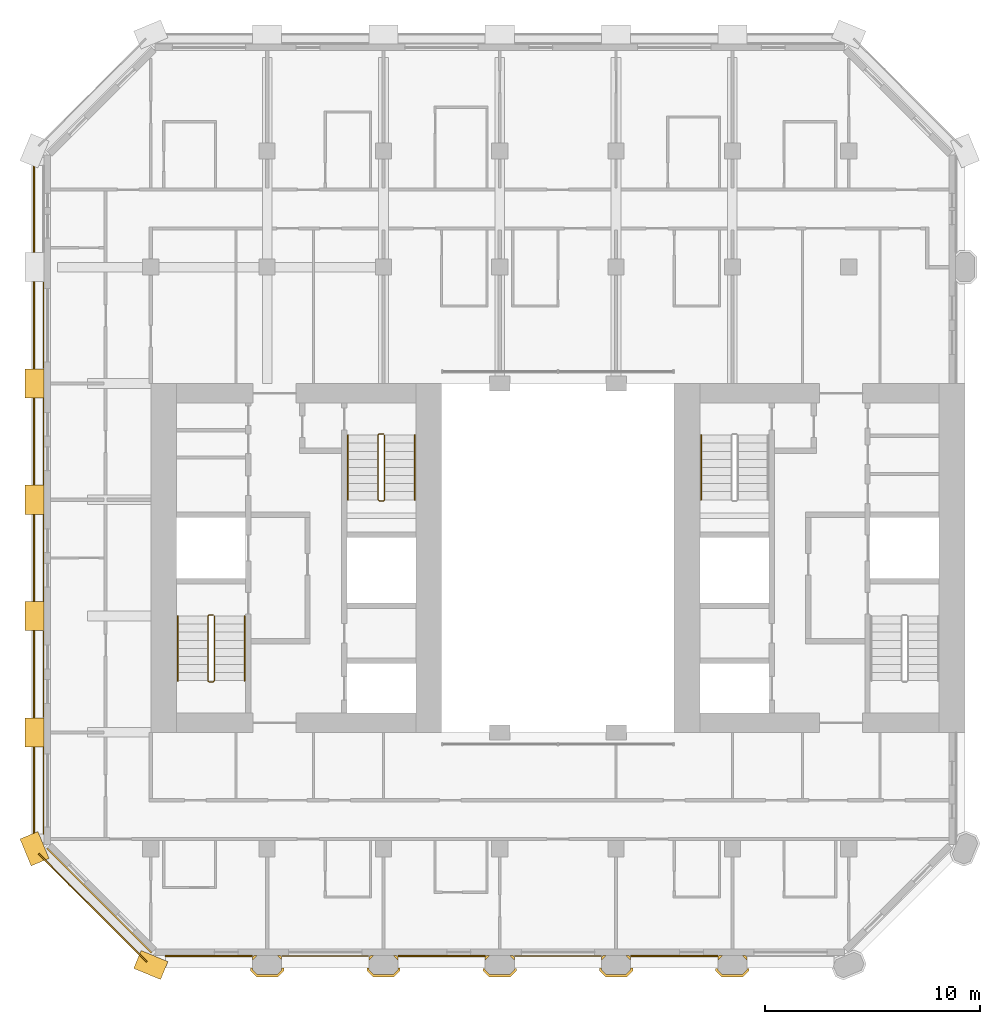
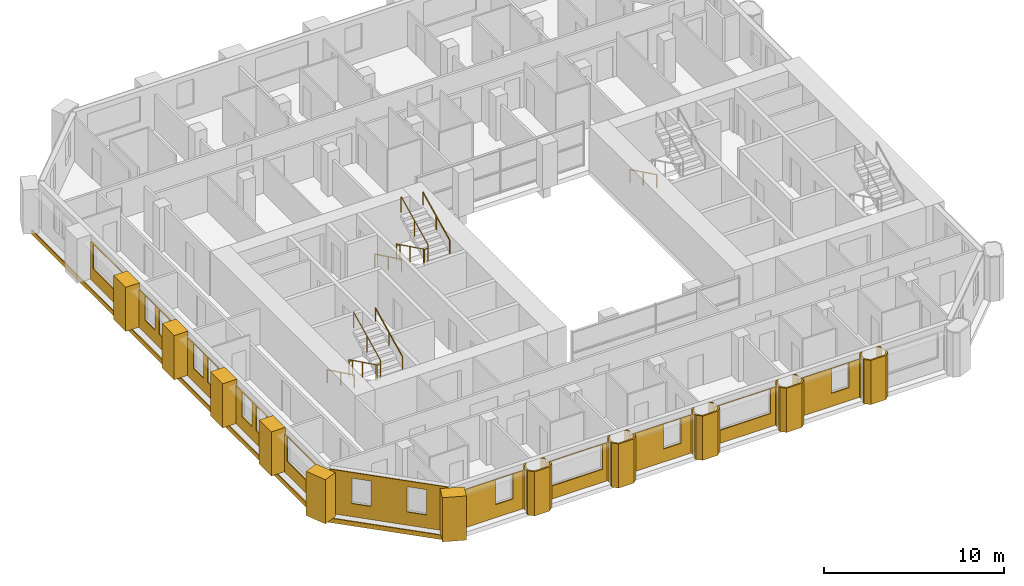
# One storey, part 13 of 14: 34 coverings, 7 railings.
"""IFC4 building model written with IfcOpenShell, lengths in metres."""

from ifc_helpers import new_model, si_unit, direction, frame, frame_2d, origin, origin_2d, place, context, subcontext, project, spatial, polyline, rectangle, circle, outline, extrude, material, layer, layer_set, type_object, element, save


model = new_model("IFC4")

# Units and contexts
model_context = context("Model", 3, precision=1e-05, world=origin(), true_north=direction((0.0, 1.0)))
body_context = subcontext(model_context, "Body", "Model", "MODEL_VIEW")
ifc_project = project(units=[si_unit("LENGTHUNIT", "METRE"), si_unit("AREAUNIT", "SQUARE_METRE"), si_unit("VOLUMEUNIT", "CUBIC_METRE"), si_unit("PLANEANGLEUNIT", "RADIAN"), si_unit("MASSUNIT", "GRAM", prefix="KILO")], contexts=[model_context])

# Site, building, storey
site_placement = place(None, origin())
site = spatial("IfcSite", under=ifc_project, at=site_placement, CompositionType="ELEMENT")
building_placement = place(site_placement, origin())
building = spatial("IfcBuilding", under=site, at=building_placement, Name="Tabaq Tower and Sports Hall", CompositionType="ELEMENT")
storey_placement = place(building_placement, frame((0.0, 0.0, 223.60009765625)))
storey = spatial("IfcBuildingStorey", under=building, at=storey_placement, Name="L56", CompositionType="ELEMENT", Elevation=223.60009765625)

# Coverings
ifc_material_1 = material(Name="Precast concrete C60/75", Category="concrete")
ifc_layer_1 = layer(ifc_material_1, 0.10009765625)
ifc_layer_set_1 = layer_set([ifc_layer_1], Name="Column cladding 100")
covering_type_1 = type_object("IfcCoveringType", Name="Column cladding 100", PredefinedType="CLADDING", material=ifc_layer_set_1)
covering_1_placement = place(storey_placement, origin())
element("IfcCovering", 1, at=covering_1_placement, inside=storey, type_object=covering_type_1, Name="Column cladding L56 PC-3B-H3", PredefinedType="CLADDING", context=body_context, shape_type="SweptSolid", body=[
    extrude(outline(polyline([(10.025390625, 5.249755859375), (10.124755859375, 5.249755859375), (10.124755859375, 5.1748046875), (10.349853515625, 4.94970703125), (11.250244140625, 4.94970703125), (11.475341796875, 5.1748046875), (11.475341796875, 5.249755859375), (11.57470703125, 5.249755859375), (11.57470703125, 5.1337890625), (11.291259765625, 4.850341796875), (10.30859375, 4.850341796875), (10.025390625, 5.1337890625), (10.025390625, 5.249755859375)])), origin(), (0.0, 0.0, 1.0), 3.0),
])
covering_2_placement = place(storey_placement, origin())
element("IfcCovering", 2, at=covering_2_placement, inside=storey, type_object=covering_type_1, Name="Column cladding L56 PC-3B-H3 2", PredefinedType="CLADDING", context=body_context, shape_type="SweptSolid", body=[
    extrude(outline(polyline([(10.208740234375, 5.849609375), (10.349365234375, 5.849609375), (10.125244140625, 5.625732421875), (10.125244140625, 5.766357421875), (10.208740234375, 5.849609375)])), origin(), (0.0, 0.0, 1.0), 3.0),
])
covering_3_placement = place(storey_placement, origin())
element("IfcCovering", 3, at=covering_3_placement, inside=storey, type_object=covering_type_1, Name="Column cladding L56 PC-3B-H3 3", PredefinedType="CLADDING", context=body_context, shape_type="SweptSolid", body=[
    extrude(outline(polyline([(11.474609375, 5.766357421875), (11.474609375, 5.625732421875), (11.250732421875, 5.849609375), (11.391357421875, 5.849609375), (11.474609375, 5.766357421875)])), origin(), (0.0, 0.0, 1.0), 3.0),
])
covering_4_placement = place(storey_placement, origin())
element("IfcCovering", 4, at=covering_4_placement, inside=storey, type_object=covering_type_1, Name="Column cladding L56 PC-4B-H3", PredefinedType="CLADDING", context=body_context, shape_type="SweptSolid", body=[
    extrude(outline(polyline([(15.42529296875, 5.249755859375), (15.524658203125, 5.249755859375), (15.524658203125, 5.1748046875), (15.749755859375, 4.94970703125), (16.650146484375, 4.94970703125), (16.875244140625, 5.1748046875), (16.875244140625, 5.249755859375), (16.974609375, 5.249755859375), (16.974609375, 5.1337890625), (16.69140625, 4.850341796875), (15.708740234375, 4.850341796875), (15.42529296875, 5.1337890625), (15.42529296875, 5.249755859375)])), origin(), (0.0, 0.0, 1.0), 3.0),
])
covering_5_placement = place(storey_placement, origin())
element("IfcCovering", 5, at=covering_5_placement, inside=storey, type_object=covering_type_1, Name="Column cladding L56 PC-4B-H3 2", PredefinedType="CLADDING", context=body_context, shape_type="SweptSolid", body=[
    extrude(outline(polyline([(16.874755859375, 5.766357421875), (16.874755859375, 5.625732421875), (16.650634765625, 5.849609375), (16.791259765625, 5.849609375), (16.874755859375, 5.766357421875)])), origin(), (0.0, 0.0, 1.0), 3.0),
])
covering_6_placement = place(storey_placement, origin())
element("IfcCovering", 6, at=covering_6_placement, inside=storey, type_object=covering_type_1, Name="Column cladding L56 PC-4B-H3 3", PredefinedType="CLADDING", context=body_context, shape_type="SweptSolid", body=[
    extrude(outline(polyline([(15.608642578125, 5.849609375), (15.749267578125, 5.849609375), (15.525390625, 5.625732421875), (15.525390625, 5.766357421875), (15.608642578125, 5.849609375)])), origin(), (0.0, 0.0, 1.0), 3.0),
])
covering_7_placement = place(storey_placement, origin())
element("IfcCovering", 7, at=covering_7_placement, inside=storey, type_object=covering_type_1, Name="Column cladding L56 PC-5B-H3", PredefinedType="CLADDING", context=body_context, shape_type="SweptSolid", body=[
    extrude(outline(polyline([(20.82568359375, 5.24951171875), (20.92431640625, 5.24951171875), (20.92431640625, 5.1748046875), (21.149658203125, 4.949462890625), (22.05029296875, 4.949462890625), (22.275634765625, 5.1748046875), (22.275634765625, 5.24951171875), (22.37451171875, 5.24951171875), (22.37451171875, 5.1337890625), (22.091064453125, 4.8505859375), (21.10888671875, 4.8505859375), (20.82568359375, 5.1337890625), (20.82568359375, 5.24951171875)])), origin(), (0.0, 0.0, 1.0), 3.0),
])
covering_8_placement = place(storey_placement, origin())
element("IfcCovering", 8, at=covering_8_placement, inside=storey, type_object=covering_type_1, Name="Column cladding L56 PC-5B-H3 2", PredefinedType="CLADDING", context=body_context, shape_type="SweptSolid", body=[
    extrude(outline(polyline([(22.274658203125, 5.766357421875), (22.274658203125, 5.625732421875), (22.05078125, 5.849609375), (22.19140625, 5.849609375), (22.274658203125, 5.766357421875)])), origin(), (0.0, 0.0, 1.0), 3.0),
])
covering_9_placement = place(storey_placement, origin())
element("IfcCovering", 9, at=covering_9_placement, inside=storey, type_object=covering_type_1, Name="Column cladding L56 PC-5B-H3 3", PredefinedType="CLADDING", context=body_context, shape_type="SweptSolid", body=[
    extrude(outline(polyline([(20.925537109375, 5.62646484375), (20.925537109375, 5.76611328125), (21.0087890625, 5.849365234375), (21.1484375, 5.849365234375), (20.925537109375, 5.62646484375)])), origin(), (0.0, 0.0, 1.0), 3.0),
])
covering_10_placement = place(storey_placement, origin())
element("IfcCovering", 10, at=covering_10_placement, inside=storey, type_object=covering_type_1, Name="Column cladding L56 PC-6B-H3", PredefinedType="CLADDING", context=body_context, shape_type="SweptSolid", body=[
    extrude(outline(polyline([(26.225341796875, 5.249755859375), (26.32470703125, 5.249755859375), (26.32470703125, 5.1748046875), (26.5498046875, 4.94970703125), (27.4501953125, 4.94970703125), (27.67529296875, 5.1748046875), (27.67529296875, 5.249755859375), (27.774658203125, 5.249755859375), (27.774658203125, 5.1337890625), (27.4912109375, 4.850341796875), (26.5087890625, 4.850341796875), (26.225341796875, 5.1337890625), (26.225341796875, 5.249755859375)])), origin(), (0.0, 0.0, 1.0), 3.0),
])
covering_11_placement = place(storey_placement, origin())
element("IfcCovering", 11, at=covering_11_placement, inside=storey, type_object=covering_type_1, Name="Column cladding L56 PC-6B-H3 2", PredefinedType="CLADDING", context=body_context, shape_type="SweptSolid", body=[
    extrude(outline(polyline([(26.40869140625, 5.849609375), (26.54931640625, 5.849609375), (26.3251953125, 5.625732421875), (26.3251953125, 5.766357421875), (26.40869140625, 5.849609375)])), origin(), (0.0, 0.0, 1.0), 3.0),
])
covering_12_placement = place(storey_placement, origin())
element("IfcCovering", 12, at=covering_12_placement, inside=storey, type_object=covering_type_1, Name="Column cladding L56 PC-6B-H3 3", PredefinedType="CLADDING", context=body_context, shape_type="SweptSolid", body=[
    extrude(outline(polyline([(27.6748046875, 5.766357421875), (27.6748046875, 5.625732421875), (27.45068359375, 5.849609375), (27.59130859375, 5.849609375), (27.6748046875, 5.766357421875)])), origin(), (0.0, 0.0, 1.0), 3.0),
])
covering_13_placement = place(storey_placement, origin())
element("IfcCovering", 13, at=covering_13_placement, inside=storey, type_object=covering_type_1, Name="Column cladding L56 PC-7B-H3", PredefinedType="CLADDING", context=body_context, shape_type="SweptSolid", body=[
    extrude(outline(polyline([(31.62548828125, 5.24951171875), (31.724365234375, 5.24951171875), (31.724365234375, 5.1748046875), (31.94970703125, 4.949462890625), (32.850341796875, 4.949462890625), (33.07568359375, 5.1748046875), (33.07568359375, 5.24951171875), (33.17431640625, 5.24951171875), (33.17431640625, 5.1337890625), (32.89111328125, 4.8505859375), (31.908935546875, 4.8505859375), (31.62548828125, 5.1337890625), (31.62548828125, 5.24951171875)])), origin(), (0.0, 0.0, 1.0), 3.0),
])
covering_14_placement = place(storey_placement, origin())
element("IfcCovering", 14, at=covering_14_placement, inside=storey, type_object=covering_type_1, Name="Column cladding L56 PC-7B-H3 2", PredefinedType="CLADDING", context=body_context, shape_type="SweptSolid", body=[
    extrude(outline(polyline([(31.80859375, 5.849609375), (31.94921875, 5.849609375), (31.725341796875, 5.625732421875), (31.725341796875, 5.766357421875), (31.80859375, 5.849609375)])), origin(), (0.0, 0.0, 1.0), 3.0),
])
covering_15_placement = place(storey_placement, origin())
element("IfcCovering", 15, at=covering_15_placement, inside=storey, type_object=covering_type_1, Name="Column cladding L56 PC-7B-H3 3", PredefinedType="CLADDING", context=body_context, shape_type="SweptSolid", body=[
    extrude(outline(polyline([(33.074462890625, 5.62646484375), (32.8515625, 5.849365234375), (32.9912109375, 5.849365234375), (33.074462890625, 5.76611328125), (33.074462890625, 5.62646484375)])), origin(), (0.0, 0.0, 1.0), 3.0),
])
ifc_material_2 = material(Name="Precast concrete C60/75", Category="concrete")
ifc_layer_2 = layer(ifc_material_2, 0.06005859375)
ifc_layer_set_2 = layer_set([ifc_layer_2], Name="Edge beam cladding 60")
covering_type_2 = type_object("IfcCoveringType", Name="Edge beam cladding 60", PredefinedType="CLADDING", material=ifc_layer_set_2)
covering_16_placement = place(storey_placement, frame((-0.030029296875, 42.9013671875, -0.300048828125), z_axis=(0.0, 0.0, 1.0), x_axis=(0.0, -1.0, 0.0)))
element("IfcCovering", 16, at=covering_16_placement, inside=storey, type_object=covering_type_2, Name="Edge beam cladding L56 4", PredefinedType="CLADDING", context=body_context, shape_type="SweptSolid", body=[
    extrude(rectangle(XDim=31.802734375, YDim=0.06005859375, at=frame_2d((15.9013671875, 0.0))), origin(), (0.0, 0.0, 1.0), 0.300048828125),
])
covering_17_placement = place(storey_placement, frame((0.18994140625, 10.567626953125, -0.300048828125), z_axis=(0.0, 0.0, 1.0), x_axis=(0.707106781187, -0.707106781187, 0.0)))
element("IfcCovering", 17, at=covering_17_placement, inside=storey, type_object=covering_type_2, Name="Edge beam cladding L56 5", PredefinedType="CLADDING", context=body_context, shape_type="SweptSolid", body=[
    extrude(rectangle(XDim=7.087890625, YDim=0.06005859375, at=frame_2d((3.5439453125, 0.0))), origin(), (0.0, 0.0, 1.0), 0.300048828125),
])
ifc_material_3 = material(Name="White precast concrete C60/75", Category="concrete")
covering_type_3 = type_object("IfcCoveringType", Name="Pier cladding hung 1350x900", PredefinedType="CLADDING", material=ifc_material_3)
for number, where, z_axis, x_axis, name in (
    (18, (-0.25830078125, 11.423583984375, 0.0), (0.0, 0.0, 1.0), (0.382649923473, -0.923893411637, 0.0), "Hung pier cladding 0/2"),
    (19, (0.0, 16.875, 0.0), (0.0, 0.0, 1.0), (0.0, -1.0, 0.0), "Hung pier cladding 0/3"),
):
    element("IfcCovering", number, at=place(storey_placement, frame(where, z_axis=z_axis, x_axis=x_axis)), inside=storey, type_object=covering_type_3, Name=name, PredefinedType="CLADDING", context=body_context, shape_type="SweptSolid", body=[
        extrude(rectangle(XDim=1.35009765625, YDim=0.89990234375, at=frame_2d((0.675048828125, 0.0))), origin(), (0.0, 0.0, 1.0), 3.0),
    ])
covering_18_placement = place(storey_placement, frame((0.0, 22.27490234375, 0.0), z_axis=(0.0, 0.0, 1.0), x_axis=(0.0, -1.0, 0.0)))
element("IfcCovering", 20, at=covering_18_placement, inside=storey, type_object=covering_type_3, Name="Hung pier cladding 0/4", PredefinedType="CLADDING", context=body_context, shape_type="SweptSolid", body=[
    extrude(rectangle(XDim=1.349853515625, YDim=0.89990234375, at=frame_2d((0.6748046875, 0.0))), origin(), (0.0, 0.0, 1.0), 3.0),
])
covering_19_placement = place(storey_placement, frame((0.0, 27.675048828125, 0.0), z_axis=(0.0, 0.0, 1.0), x_axis=(0.0, -1.0, 0.0)))
element("IfcCovering", 21, at=covering_19_placement, inside=storey, type_object=covering_type_3, Name="Hung pier cladding 0/5", PredefinedType="CLADDING", context=body_context, shape_type="SweptSolid", body=[
    extrude(rectangle(XDim=1.35009765625, YDim=0.89990234375, at=frame_2d((0.675048828125, 0.0))), origin(), (0.0, 0.0, 1.0), 3.0),
])
covering_20_placement = place(storey_placement, frame((0.0, 33.074951171875, 0.0), z_axis=(0.0, 0.0, 1.0), x_axis=(0.0, -1.0, 0.0)))
element("IfcCovering", 22, at=covering_20_placement, inside=storey, type_object=covering_type_3, Name="Hung pier cladding 0/6", PredefinedType="CLADDING", context=body_context, shape_type="SweptSolid", body=[
    extrude(rectangle(XDim=1.349853515625, YDim=0.89990234375, at=frame_2d((0.6748046875, 0.0))), origin(), (0.0, 0.0, 1.0), 3.0),
])
covering_21_placement = place(storey_placement, frame((4.7763671875, 5.658203125, 0.0), z_axis=(0.0, 0.0, 1.0), x_axis=(0.923893411637, -0.382649923473, 0.0)))
element("IfcCovering", 23, at=covering_21_placement, inside=storey, type_object=covering_type_3, Name="Hung pier cladding 1/1", PredefinedType="CLADDING", context=body_context, shape_type="SweptSolid", body=[
    extrude(rectangle(XDim=1.35009765625, YDim=0.89990234375, at=frame_2d((0.675048828125, 0.0))), origin(), (0.0, 0.0, 1.0), 3.0),
])

# Railings
ifc_material_4 = material(Name="Stainless steel", Category="steel")
railing_type_1 = type_object("IfcRailingType", Name="Stair guard", PredefinedType="GUARDRAIL", material=ifc_material_4)
railing_1_placement = place(storey_placement, frame((8.300048828125, 21.64990234375, 0.0)))
element("IfcRailing", 24, at=railing_1_placement, inside=storey, type_object=railing_type_1, Name="L56 ST1 stair guard 1", PredefinedType="GUARDRAIL", context=body_context, shape_type="SweptSolid", body=[
    extrude(circle(Radius=0.02392578125, at=origin_2d()), frame((0.0, 0.0, 1.076171875), z_axis=(-1.0, 0.0, 0.0), x_axis=(0.0, -1.0, 0.0)), (0.0, 0.0, 1.0), 0.199951171875),
    extrude(circle(Radius=0.02392578125, at=origin_2d()), frame((-0.199951171875, 0.0, 1.076171875), z_axis=(-0.254733673405, -0.25349107012, 0.933195066962), x_axis=(0.705375805398, -0.708833529934, 0.0)), (0.0, 0.0, 1.0), 0.196533203125),
    extrude(circle(Radius=0.02392578125, at=origin_2d()), frame((-0.25, -0.0498046875, 1.25927734375), z_axis=(0.0, -0.898397823093, 0.439182594671), x_axis=(1.0, 0.0, 0.0)), (0.0, 0.0, 1.0), 3.33935546875),
    extrude(circle(Radius=0.02392578125, at=origin_2d()), frame((-0.25, -3.0498046875, 2.72607421875), z_axis=(0.707106781187, -0.707106781187, 0.0), x_axis=(0.707106781187, 0.707106781187, 0.0)), (0.0, 0.0, 1.0), 0.07080078125),
    extrude(circle(Radius=0.02392578125, at=origin_2d()), frame((-0.199951171875, -3.099853515625, 2.72607421875), z_axis=(1.0, 0.0, 0.0), x_axis=(0.0, 1.0, 0.0)), (0.0, 0.0, 1.0), 0.199951171875),
    extrude(circle(Radius=0.02392578125, at=origin_2d()), frame((0.0, -3.099853515625, 2.72607421875), z_axis=(0.254653276557, 0.254653276557, 0.932900539971), x_axis=(-0.707106781187, 0.707106781187, 0.0)), (0.0, 0.0, 1.0), 0.196533203125),
    extrude(circle(Radius=0.02392578125, at=origin_2d()), frame((0.050048828125, -3.0498046875, 2.9091796875), z_axis=(0.0, 0.898397823093, 0.439182594671), x_axis=(-1.0, 0.0, 0.0)), (0.0, 0.0, 1.0), 3.33935546875),
    extrude(circle(Radius=0.02099609375, at=origin_2d()), origin(), (0.0, 0.0, 1.0), 1.052001953125),
    extrude(circle(Radius=0.02099609375, at=origin_2d()), frame((-0.199951171875, 0.0, 0.0)), (0.0, 0.0, 1.0), 1.052001953125),
    extrude(circle(Radius=0.02099609375, at=origin_2d()), frame((-0.25, -0.0498046875, 0.183349609375)), (0.0, 0.0, 1.0), 1.052001953125),
    extrude(circle(Radius=0.02099609375, at=origin_2d()), frame((-0.25, -1.5498046875, 0.91650390625)), (0.0, 0.0, 1.0), 1.052001953125),
    extrude(circle(Radius=0.02099609375, at=origin_2d()), frame((-0.25, -3.0498046875, 1.64990234375)), (0.0, 0.0, 1.0), 1.052001953125),
    extrude(circle(Radius=0.02099609375, at=origin_2d()), frame((-0.199951171875, -3.099853515625, 1.64990234375)), (0.0, 0.0, 1.0), 1.052001953125),
    extrude(circle(Radius=0.02099609375, at=origin_2d()), frame((0.0, -3.099853515625, 1.64990234375)), (0.0, 0.0, 1.0), 1.052001953125),
    extrude(circle(Radius=0.02099609375, at=origin_2d()), frame((0.050048828125, -3.0498046875, 1.833251953125)), (0.0, 0.0, 1.0), 1.052001953125),
    extrude(circle(Radius=0.02099609375, at=origin_2d()), frame((0.050048828125, -1.5498046875, 2.56640625)), (0.0, 0.0, 1.0), 1.052001953125),
    extrude(circle(Radius=0.02099609375, at=origin_2d()), frame((0.050048828125, -0.0498046875, 3.2998046875)), (0.0, 0.0, 1.0), 1.052001953125),
])
railing_2_placement = place(storey_placement, frame((16.199951171875, 30.050048828125, 0.0)))
element("IfcRailing", 25, at=railing_2_placement, inside=storey, type_object=railing_type_1, Name="L56 ST2 stair guard 1", PredefinedType="GUARDRAIL", context=body_context, shape_type="SweptSolid", body=[
    extrude(circle(Radius=0.02392578125, at=origin_2d()), frame((0.0, 0.0, 1.076171875), z_axis=(-1.0, 0.0, 0.0), x_axis=(0.0, -1.0, 0.0)), (0.0, 0.0, 1.0), 0.199951171875),
    extrude(circle(Radius=0.02392578125, at=origin_2d()), frame((-0.199951171875, 0.0, 1.076171875), z_axis=(-0.254653276557, -0.254653276557, 0.932900539971), x_axis=(0.707106781187, -0.707106781187, 0.0)), (0.0, 0.0, 1.0), 0.196533203125),
    extrude(circle(Radius=0.02392578125, at=origin_2d()), frame((-0.25, -0.050048828125, 1.25927734375), z_axis=(0.0, -0.898397823093, 0.439182594671), x_axis=(1.0, 0.0, 0.0)), (0.0, 0.0, 1.0), 3.33935546875),
    extrude(circle(Radius=0.02392578125, at=origin_2d()), frame((-0.25, -3.050048828125, 2.72607421875), z_axis=(0.707106781187, -0.707106781187, 0.0), x_axis=(0.707106781187, 0.707106781187, 0.0)), (0.0, 0.0, 1.0), 0.07080078125),
    extrude(circle(Radius=0.02392578125, at=origin_2d()), frame((-0.199951171875, -3.10009765625, 2.72607421875), z_axis=(1.0, 0.0, 0.0), x_axis=(0.0, 1.0, 0.0)), (0.0, 0.0, 1.0), 0.199951171875),
    extrude(circle(Radius=0.02392578125, at=origin_2d()), frame((0.0, -3.10009765625, 2.72607421875), z_axis=(0.254653276557, 0.254653276557, 0.932900539971), x_axis=(-0.707106781187, 0.707106781187, 0.0)), (0.0, 0.0, 1.0), 0.196533203125),
    extrude(circle(Radius=0.02392578125, at=origin_2d()), frame((0.050048828125, -3.050048828125, 2.9091796875), z_axis=(0.0, 0.898397823093, 0.439182594671), x_axis=(-1.0, 0.0, 0.0)), (0.0, 0.0, 1.0), 3.33935546875),
    extrude(circle(Radius=0.02099609375, at=origin_2d()), origin(), (0.0, 0.0, 1.0), 1.052001953125),
    extrude(circle(Radius=0.02099609375, at=origin_2d()), frame((-0.199951171875, 0.0, 0.0)), (0.0, 0.0, 1.0), 1.052001953125),
    extrude(circle(Radius=0.02099609375, at=origin_2d()), frame((-0.25, -0.050048828125, 0.183349609375)), (0.0, 0.0, 1.0), 1.052001953125),
    extrude(circle(Radius=0.02099609375, at=origin_2d()), frame((-0.25, -1.550048828125, 0.91650390625)), (0.0, 0.0, 1.0), 1.052001953125),
    extrude(circle(Radius=0.02099609375, at=origin_2d()), frame((-0.25, -3.050048828125, 1.64990234375)), (0.0, 0.0, 1.0), 1.052001953125),
    extrude(circle(Radius=0.02099609375, at=origin_2d()), frame((-0.199951171875, -3.10009765625, 1.64990234375)), (0.0, 0.0, 1.0), 1.052001953125),
    extrude(circle(Radius=0.02099609375, at=origin_2d()), frame((0.0, -3.10009765625, 1.64990234375)), (0.0, 0.0, 1.0), 1.052001953125),
    extrude(circle(Radius=0.02099609375, at=origin_2d()), frame((0.050048828125, -3.050048828125, 1.833251953125)), (0.0, 0.0, 1.0), 1.052001953125),
    extrude(circle(Radius=0.02099609375, at=origin_2d()), frame((0.050048828125, -1.550048828125, 2.56640625)), (0.0, 0.0, 1.0), 1.052001953125),
    extrude(circle(Radius=0.02099609375, at=origin_2d()), frame((0.050048828125, -0.050048828125, 3.2998046875)), (0.0, 0.0, 1.0), 1.052001953125),
])
ifc_material_5 = material(Name="Stainless steel", Category="steel")
railing_type_2 = type_object("IfcRailingType", Name="Stair handrail", PredefinedType="HANDRAIL", material=ifc_material_5)
railing_3_placement = place(storey_placement, frame((6.64990234375, 21.60009765625, 0.183349609375)))
element("IfcRailing", 26, at=railing_3_placement, inside=storey, type_object=railing_type_2, Name="L56 ST1 stair handrail 1", PredefinedType="HANDRAIL", context=body_context, shape_type="SweptSolid", body=[
    extrude(circle(Radius=0.02392578125, at=origin_2d()), frame((0.0, 0.0, 0.8759765625), z_axis=(0.0, -0.898397823093, 0.439182594671), x_axis=(1.0, 0.0, 0.0)), (0.0, 0.0, 1.0), 3.33935546875),
    extrude(circle(Radius=0.02099609375, at=origin_2d()), origin(), (0.0, 0.0, 1.0), 0.851806640625),
    extrude(circle(Radius=0.02099609375, at=origin_2d()), frame((0.0, -1.5, 0.7333984375)), (0.0, 0.0, 1.0), 0.851806640625),
    extrude(circle(Radius=0.02099609375, at=origin_2d()), frame((0.0, -3.0, 1.466552734375)), (0.0, 0.0, 1.0), 0.851806640625),
])
railing_4_placement = place(storey_placement, frame((9.75, 18.60009765625, 1.833251953125)))
element("IfcRailing", 27, at=railing_4_placement, inside=storey, type_object=railing_type_2, Name="L56 ST1 stair handrail 2", PredefinedType="HANDRAIL", context=body_context, shape_type="SweptSolid", body=[
    extrude(circle(Radius=0.02392578125, at=origin_2d()), frame((0.0, 0.0, 0.8759765625), z_axis=(0.0, 0.898397823093, 0.439182594671), x_axis=(-1.0, 0.0, 0.0)), (0.0, 0.0, 1.0), 3.33935546875),
    extrude(circle(Radius=0.02099609375, at=origin_2d()), origin(), (0.0, 0.0, 1.0), 0.851806640625),
    extrude(circle(Radius=0.02099609375, at=origin_2d()), frame((0.0, 1.5, 0.7333984375)), (0.0, 0.0, 1.0), 0.851806640625),
    extrude(circle(Radius=0.02099609375, at=origin_2d()), frame((0.0, 3.0, 1.466552734375)), (0.0, 0.0, 1.0), 0.851806640625),
])
railing_5_placement = place(storey_placement, frame((14.550048828125, 30.0, 0.183349609375)))
element("IfcRailing", 28, at=railing_5_placement, inside=storey, type_object=railing_type_2, Name="L56 ST2 stair handrail 1", PredefinedType="HANDRAIL", context=body_context, shape_type="SweptSolid", body=[
    extrude(circle(Radius=0.02392578125, at=origin_2d()), frame((0.0, 0.0, 0.8759765625), z_axis=(0.0, -0.898397823093, 0.439182594671), x_axis=(1.0, 0.0, 0.0)), (0.0, 0.0, 1.0), 3.33935546875),
    extrude(circle(Radius=0.02099609375, at=origin_2d()), origin(), (0.0, 0.0, 1.0), 0.851806640625),
    extrude(circle(Radius=0.02099609375, at=origin_2d()), frame((0.0, -1.5, 0.7333984375)), (0.0, 0.0, 1.0), 0.851806640625),
    extrude(circle(Radius=0.02099609375, at=origin_2d()), frame((0.0, -3.0, 1.466552734375)), (0.0, 0.0, 1.0), 0.851806640625),
])
railing_6_placement = place(storey_placement, frame((17.64990234375, 27.0, 1.833251953125)))
element("IfcRailing", 29, at=railing_6_placement, inside=storey, type_object=railing_type_2, Name="L56 ST2 stair handrail 2", PredefinedType="HANDRAIL", context=body_context, shape_type="SweptSolid", body=[
    extrude(circle(Radius=0.02392578125, at=origin_2d()), frame((0.0, 0.0, 0.8759765625), z_axis=(0.0, 0.898397823093, 0.439182594671), x_axis=(-1.0, 0.0, 0.0)), (0.0, 0.0, 1.0), 3.33935546875),
    extrude(circle(Radius=0.02099609375, at=origin_2d()), origin(), (0.0, 0.0, 1.0), 0.851806640625),
    extrude(circle(Radius=0.02099609375, at=origin_2d()), frame((0.0, 1.5, 0.7333984375)), (0.0, 0.0, 1.0), 0.851806640625),
    extrude(circle(Radius=0.02099609375, at=origin_2d()), frame((0.0, 3.0, 1.466552734375)), (0.0, 0.0, 1.0), 0.851806640625),
])
railing_7_placement = place(storey_placement, frame((30.949951171875, 30.0, 0.183349609375)))
element("IfcRailing", 30, at=railing_7_placement, inside=storey, type_object=railing_type_2, Name="L56 ST4 stair handrail 1", PredefinedType="HANDRAIL", context=body_context, shape_type="SweptSolid", body=[
    extrude(circle(Radius=0.02392578125, at=origin_2d()), frame((0.0, 0.0, 0.8759765625), z_axis=(0.0, -0.898397823093, 0.439182594671), x_axis=(1.0, 0.0, 0.0)), (0.0, 0.0, 1.0), 3.33935546875),
    extrude(circle(Radius=0.02099609375, at=origin_2d()), origin(), (0.0, 0.0, 1.0), 0.851806640625),
    extrude(circle(Radius=0.02099609375, at=origin_2d()), frame((0.0, -1.5, 0.7333984375)), (0.0, 0.0, 1.0), 0.851806640625),
    extrude(circle(Radius=0.02099609375, at=origin_2d()), frame((0.0, -3.0, 1.466552734375)), (0.0, 0.0, 1.0), 0.851806640625),
])

# Coverings
ifc_material_6 = material(Name="Precast concrete C60/75", Category="concrete")
ifc_layer_3 = layer(ifc_material_6, 0.06005859375)
ifc_layer_set_3 = layer_set([ifc_layer_3], Name="White precast cladding panel 60 C60/75")
covering_type_4 = type_object("IfcCoveringType", Name="White precast cladding panel 60 C60/75", PredefinedType="CLADDING", material=ifc_layer_set_3)
covering_22_placement = place(storey_placement, frame((6.06494140625, 5.820068359375, 0.0), z_axis=(0.0, 0.0, 1.0), x_axis=(1.0, 0.0, 0.0)))
element("IfcCovering", 31, at=covering_22_placement, inside=storey, type_object=covering_type_4, Name="White precast cladding panel L56 wall00", PredefinedType="CLADDING", context=body_context, shape_type="SweptSolid", body=[
    extrude(outline(polyline([(0.0, 0.0), (4.050048828125, 0.0), (4.050048828125, 2.58984375), (0.0, 2.58984375), (0.0, 0.0)]), holes=[polyline([(3.39501953125, 0.889892578125), (2.27490234375, 0.889892578125), (2.27490234375, 2.559814453125), (3.39501953125, 2.559814453125), (3.39501953125, 0.889892578125)])]), frame((0.0, 0.030029296875, 0.0), z_axis=(0.0, -1.0, 0.0), x_axis=(1.0, 0.0, 0.0)), (0.0, 0.0, 1.0), 0.06005859375),
])
covering_23_placement = place(storey_placement, frame((11.485107421875, 5.820068359375, 0.0), z_axis=(0.0, 0.0, 1.0), x_axis=(1.0, 0.0, 0.0)))
element("IfcCovering", 32, at=covering_23_placement, inside=storey, type_object=covering_type_4, Name="White precast cladding panel L56 wall00 2", PredefinedType="CLADDING", context=body_context, shape_type="SweptSolid", body=[
    extrude(outline(polyline([(0.0, 0.0), (4.02978515625, 0.0), (4.02978515625, 2.58984375), (0.0, 2.58984375), (0.0, 0.0)]), holes=[polyline([(3.72509765625, 0.889892578125), (0.304931640625, 0.889892578125), (0.304931640625, 2.559814453125), (3.72509765625, 2.559814453125), (3.72509765625, 0.889892578125)])]), frame((0.0, 0.030029296875, 0.0), z_axis=(0.0, -1.0, 0.0), x_axis=(1.0, 0.0, 0.0)), (0.0, 0.0, 1.0), 0.06005859375),
])
covering_24_placement = place(storey_placement, frame((16.885009765625, 5.820068359375, 0.0), z_axis=(0.0, 0.0, 1.0), x_axis=(1.0, 0.0, 0.0)))
element("IfcCovering", 33, at=covering_24_placement, inside=storey, type_object=covering_type_4, Name="White precast cladding panel L56 wall00 3", PredefinedType="CLADDING", context=body_context, shape_type="SweptSolid", body=[
    extrude(outline(polyline([(0.0, 0.0), (4.030029296875, 0.0), (4.030029296875, 2.58984375), (0.0, 2.58984375), (0.0, 0.0)]), holes=[polyline([(3.375, 0.889892578125), (2.2548828125, 0.889892578125), (2.2548828125, 2.559814453125), (3.375, 2.559814453125), (3.375, 0.889892578125)])]), frame((0.0, 0.030029296875, 0.0), z_axis=(0.0, -1.0, 0.0), x_axis=(1.0, 0.0, 0.0)), (0.0, 0.0, 1.0), 0.06005859375),
])
covering_25_placement = place(storey_placement, frame((22.284912109375, 5.820068359375, 0.0), z_axis=(0.0, 0.0, 1.0), x_axis=(1.0, 0.0, 0.0)))
element("IfcCovering", 34, at=covering_25_placement, inside=storey, type_object=covering_type_4, Name="White precast cladding panel L56 wall00 4", PredefinedType="CLADDING", context=body_context, shape_type="SweptSolid", body=[
    extrude(outline(polyline([(0.0, 0.0), (4.030029296875, 0.0), (4.030029296875, 2.58984375), (0.0, 2.58984375), (0.0, 0.0)]), holes=[polyline([(3.72509765625, 0.889892578125), (0.304931640625, 0.889892578125), (0.304931640625, 2.559814453125), (3.72509765625, 2.559814453125), (3.72509765625, 0.889892578125)])]), frame((0.0, 0.030029296875, 0.0), z_axis=(0.0, -1.0, 0.0), x_axis=(1.0, 0.0, 0.0)), (0.0, 0.0, 1.0), 0.06005859375),
])
covering_26_placement = place(storey_placement, frame((27.68505859375, 5.820068359375, 0.0), z_axis=(0.0, 0.0, 1.0), x_axis=(1.0, 0.0, 0.0)))
element("IfcCovering", 35, at=covering_26_placement, inside=storey, type_object=covering_type_4, Name="White precast cladding panel L56 wall00 5", PredefinedType="CLADDING", context=body_context, shape_type="SweptSolid", body=[
    extrude(outline(polyline([(0.0, 0.0), (4.030029296875, 0.0), (4.030029296875, 2.58984375), (0.0, 2.58984375), (0.0, 0.0)]), holes=[polyline([(3.375, 0.889892578125), (2.2548828125, 0.889892578125), (2.2548828125, 2.559814453125), (3.375, 2.559814453125), (3.375, 0.889892578125)])]), frame((0.0, 0.030029296875, 0.0), z_axis=(0.0, -1.0, 0.0), x_axis=(1.0, 0.0, 0.0)), (0.0, 0.0, 1.0), 0.06005859375),
])
covering_27_placement = place(storey_placement, frame((0.419921875, 37.114990234375, 0.0), z_axis=(0.0, 0.0, 1.0), x_axis=(0.0, -1.0, 0.0)))
element("IfcCovering", 36, at=covering_27_placement, inside=storey, type_object=covering_type_4, Name="White precast cladding panel L56 wall06 2", PredefinedType="CLADDING", context=body_context, shape_type="SweptSolid", body=[
    extrude(outline(polyline([(0.0, 0.0), (4.030029296875, 0.0), (4.030029296875, 2.58984375), (0.0, 2.58984375), (0.0, 0.0)]), holes=[polyline([(3.72509765625, 0.889892578125), (0.304931640625, 0.889892578125), (0.304931640625, 2.559814453125), (3.72509765625, 2.559814453125), (3.72509765625, 0.889892578125)])]), frame((0.0, 0.030029296875, 0.0), z_axis=(0.0, -1.0, 0.0), x_axis=(1.0, 0.0, 0.0)), (0.0, 0.0, 1.0), 0.06005859375),
])
for number, where, z_axis, x_axis, name in (
    (37, (0.419921875, 31.715087890625, 0.0), (0.0, 0.0, 1.0), (0.0, -1.0, 0.0), "White precast cladding panel L56 wall06 3"),
    (38, (0.419921875, 26.31494140625, 0.0), (0.0, 0.0, 1.0), (0.0, -1.0, 0.0), "White precast cladding panel L56 wall06 4"),
    (39, (0.419921875, 20.9150390625, 0.0), (0.0, 0.0, 1.0), (0.0, -1.0, 0.0), "White precast cladding panel L56 wall06 5"),
):
    element("IfcCovering", number, at=place(storey_placement, frame(where, z_axis=z_axis, x_axis=x_axis)), inside=storey, type_object=covering_type_4, Name=name, PredefinedType="CLADDING", context=body_context, shape_type="SweptSolid", body=[
        extrude(outline(polyline([(0.0, 0.0), (4.030029296875, 0.0), (4.030029296875, 2.58984375), (0.0, 2.58984375), (0.0, 0.0)]), holes=[polyline([(0.655029296875, 0.889892578125), (0.655029296875, 2.559814453125), (1.77490234375, 2.559814453125), (1.77490234375, 0.889892578125), (0.655029296875, 0.889892578125)]), polyline([(2.2548828125, 0.889892578125), (2.2548828125, 2.559814453125), (3.375, 2.559814453125), (3.375, 0.889892578125), (2.2548828125, 0.889892578125)])]), frame((0.0, 0.030029296875, 0.0), z_axis=(0.0, -1.0, 0.0), x_axis=(1.0, 0.0, 0.0)), (0.0, 0.0, 1.0), 0.06005859375),
    ])
covering_28_placement = place(storey_placement, frame((0.419921875, 15.514892578125, 0.0), z_axis=(0.0, 0.0, 1.0), x_axis=(0.0, -1.0, 0.0)))
element("IfcCovering", 40, at=covering_28_placement, inside=storey, type_object=covering_type_4, Name="White precast cladding panel L56 wall06 6", PredefinedType="CLADDING", context=body_context, shape_type="SweptSolid", body=[
    extrude(outline(polyline([(0.0, 0.0), (4.0498046875, 0.0), (4.0498046875, 2.58984375), (0.0, 2.58984375), (0.0, 0.0)]), holes=[polyline([(3.72509765625, 0.889892578125), (0.304931640625, 0.889892578125), (0.304931640625, 2.559814453125), (3.72509765625, 2.559814453125), (3.72509765625, 0.889892578125)])]), frame((0.0, 0.030029296875, 0.0), z_axis=(0.0, -1.0, 0.0), x_axis=(1.0, 0.0, 0.0)), (0.0, 0.0, 1.0), 0.06005859375),
])
covering_29_placement = place(storey_placement, frame((0.57177734375, 10.822265625, 0.0), z_axis=(0.0, 0.0, 1.0), x_axis=(0.707106781187, -0.707106781187, 0.0)))
element("IfcCovering", 41, at=covering_29_placement, inside=storey, type_object=covering_type_4, Name="White precast cladding panel L56 wall07", PredefinedType="CLADDING", context=body_context, shape_type="SweptSolid", body=[
    extrude(outline(polyline([(0.0, 0.0), (6.85986328125, 0.0), (6.85986328125, 3.0), (0.0, 3.0), (0.0, 0.0)]), holes=[polyline([(1.269775390625, 2.60986328125), (2.389892578125, 2.60986328125), (2.389892578125, 0.889892578125), (1.269775390625, 0.889892578125), (1.269775390625, 2.60986328125)]), polyline([(4.4697265625, 2.60986328125), (5.58984375, 2.60986328125), (5.58984375, 0.889892578125), (4.4697265625, 0.889892578125), (4.4697265625, 2.60986328125)])]), frame((0.0, 0.030029296875, 0.0), z_axis=(0.0, -1.0, 0.0), x_axis=(1.0, 0.0, 0.0)), (0.0, 0.0, 1.0), 0.06005859375),
])

save(model, "model.ifc")
